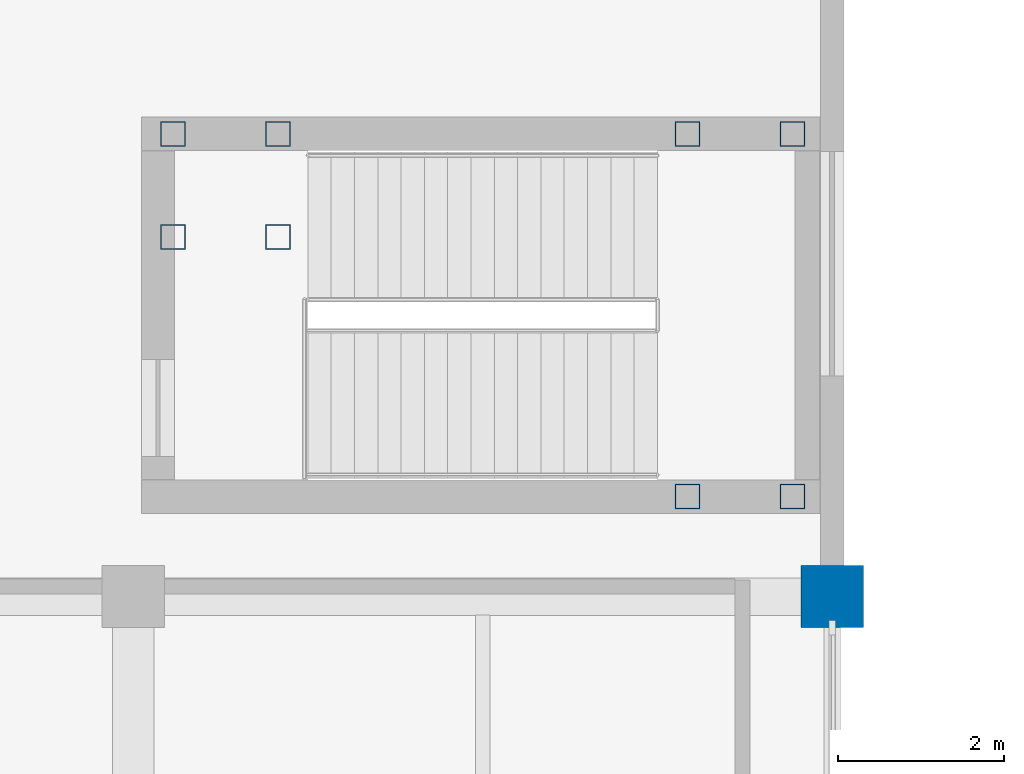
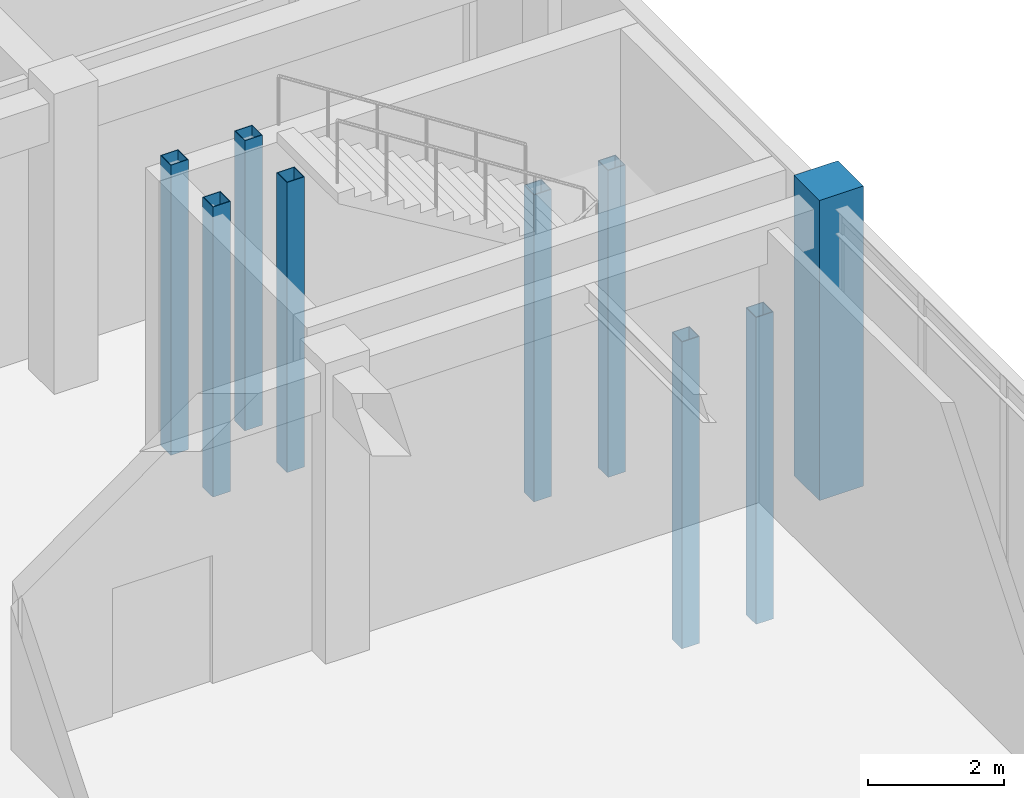
# One storey, part 8 of 79: 9 columns.
"""IFC4 building model written with IfcOpenShell, lengths in metres."""

import ifcopenshell
import ifcopenshell.guid

model = None  # the IFC model being written
_history = None  # IfcOwnerHistory: only IFC2X3 demands one
_inside = {}  # id of a spatial element -> (the spatial element, [elements in it])
_under = {}  # id of a project, library or spatial element -> (it, [spatial elements below it])
_declared = {}  # id of a project -> (the project, [libraries it declares])
_typed = {}  # id of a type object -> (the type object, [elements of that type])
_made_of = {}  # id of a material, layer set ... -> (it, [elements and type objects made of it])


def new_model(schema):
    """Start an empty IFC model of exactly this schema.

    Asked for "IFC4X3", IfcOpenShell would pick the latest addendum, in which some entities
    have other attributes; the version numbers below select the first issue.
    IFC2X3 requires an IfcOwnerHistory on every rooted entity: one is made here for all.
    """
    global model, _history
    if schema == "IFC4X3":
        model = ifcopenshell.file(schema_version=(4, 3, 0, 0))
    else:
        model = ifcopenshell.file(schema=schema)
    _inside.clear()
    _under.clear()
    _declared.clear()
    _typed.clear()
    _made_of.clear()
    _history = None
    if model.schema == "IFC2X3":
        org = make("IfcOrganization", Name="unknown")
        user = make(
            "IfcPersonAndOrganization",
            ThePerson=make("IfcPerson", FamilyName="unknown"),
            TheOrganization=org,
        )
        app = make(
            "IfcApplication",
            ApplicationDeveloper=org,
            Version="unknown",
            ApplicationFullName="unknown",
            ApplicationIdentifier="unknown",
        )
        _history = make(
            "IfcOwnerHistory",
            OwningUser=user,
            OwningApplication=app,
            ChangeAction="ADDED",
            CreationDate=0,
        )
    return model


def make(cls, **values):
    """One entity of the class cls with the attributes given. An attribute that is None is left unset."""
    return model.create_entity(
        cls, **{name: value for name, value in values.items() if value is not None}
    )


def rooted(cls, **values):
    """An entity with a GlobalId (a new one), such as an element, a storey or a relation."""
    return make(cls, GlobalId=ifcopenshell.guid.new(), OwnerHistory=_history, **values)


def si_unit(unit_type, name, prefix=None):
    """IfcSIUnit, for example si_unit("LENGTHUNIT", "METRE", prefix="MILLI")."""
    return make("IfcSIUnit", UnitType=unit_type, Prefix=prefix, Name=name)


def assignment(units):
    """IfcUnitAssignment: the units of a project."""
    return None if units is None else make("IfcUnitAssignment", Units=units)


def point(xyz):
    """IfcCartesianPoint."""
    return None if xyz is None else make("IfcCartesianPoint", Coordinates=xyz)


def direction(xyz):
    """IfcDirection."""
    return None if xyz is None else make("IfcDirection", DirectionRatios=xyz)


def frame(location, z_axis=None, x_axis=None):
    """IfcAxis2Placement3D, a coordinate frame: its origin and axes. An axis left out is left unset."""
    return make(
        "IfcAxis2Placement3D",
        Location=point(location),
        Axis=direction(z_axis),
        RefDirection=direction(x_axis),
    )


def frame_2d(location, x_axis=None):
    """IfcAxis2Placement2D, a coordinate frame in the plane: its origin and x axis."""
    return make(
        "IfcAxis2Placement2D", Location=point(location), RefDirection=direction(x_axis)
    )


def origin():
    """The frame at (0, 0, 0) with its axes left unset."""
    return frame((0.0, 0.0, 0.0))


def origin_2d():
    """The frame at (0, 0) in the plane with its x axis left unset."""
    return frame_2d((0.0, 0.0))


def place(relative_to, where):
    """IfcLocalPlacement: puts the frame where relative to a parent placement (None: the world)."""
    return make(
        "IfcLocalPlacement", PlacementRelTo=relative_to, RelativePlacement=where
    )


def context(
    kind, dimensions, precision=None, world=None, true_north=None, identifier=None
):
    """IfcGeometricRepresentationContext, for example the 3D "Model" context."""
    return make(
        "IfcGeometricRepresentationContext",
        ContextIdentifier=identifier,
        ContextType=kind,
        CoordinateSpaceDimension=dimensions,
        Precision=precision,
        WorldCoordinateSystem=world,
        TrueNorth=true_north,
    )


def subcontext(parent, identifier, kind, view, scale=None):
    """IfcGeometricRepresentationSubContext, for example "Body" below "Model"."""
    return make(
        "IfcGeometricRepresentationSubContext",
        ContextIdentifier=identifier,
        ContextType=kind,
        ParentContext=parent,
        TargetScale=scale,
        TargetView=view,
    )


def project(units=None, contexts=None):
    """IfcProject with its units and contexts."""
    return rooted(
        "IfcProject",
        Name="project",
        RepresentationContexts=contexts,
        UnitsInContext=assignment(units),
    )


def spatial(cls, under=None, at=None, **own):
    """A site, building, storey or space (cls), placed at a placement, below another one or the project."""
    s = rooted(cls, ObjectPlacement=at, **own)
    if under is not None:
        _under.setdefault(under.id(), (under, []))[1].append(s)
    return s


def profile(cls, at=None, kind="AREA", **sizes):
    """A parametric profile (cls). Its sizes go by their IFC names, for example OverallWidth=200.0."""
    return make(cls, ProfileType=kind, Position=at, **sizes)


def rectangle(**sizes):
    """IfcRectangleProfileDef."""
    return profile("IfcRectangleProfileDef", **sizes)


def hollow_rectangle(**sizes):
    """IfcRectangleHollowProfileDef."""
    return profile("IfcRectangleHollowProfileDef", **sizes)


def extrude(swept, where, along, depth):
    """IfcExtrudedAreaSolid: the profile swept, set in the frame where, extruded along a direction by depth."""
    return make(
        "IfcExtrudedAreaSolid",
        SweptArea=swept,
        Position=where,
        ExtrudedDirection=direction(along),
        Depth=depth,
    )


def shape(context_of_items, identifier, shape_type, items):
    """IfcShapeRepresentation: the items that make up one representation, for example the "Body"."""
    return make(
        "IfcShapeRepresentation",
        ContextOfItems=context_of_items,
        RepresentationIdentifier=identifier,
        RepresentationType=shape_type,
        Items=items,
    )


def material(Name=None, Category=None):
    """IfcMaterial."""
    return make("IfcMaterial", Name=Name, Category=Category)


def material_profile(
    of_material, cross_section, Name=None, Category=None, Priority=None
):
    """IfcMaterialProfile: a cross section and its material."""
    return make(
        "IfcMaterialProfile",
        Name=Name,
        Material=of_material,
        Profile=cross_section,
        Priority=Priority,
        Category=Category,
    )


def profile_set(profiles, Name=None, composite=None):
    """IfcMaterialProfileSet."""
    return make(
        "IfcMaterialProfileSet",
        Name=Name,
        MaterialProfiles=profiles,
        CompositeProfile=composite,
    )


def made_of(thing, what):
    """Note that an element or type object is made of a material, layer set ...; save() writes the relation."""
    if what is not None:
        _made_of.setdefault(what.id(), (what, []))[1].append(thing)
    return thing


def type_object(cls, material=None, **own):
    """A type object (cls), such as IfcWallType, which elements share."""
    return made_of(rooted(cls, **own), material)


def element(
    cls,
    number,
    at=None,
    inside=None,
    cuts=None,
    type_object=None,
    material=None,
    context=None,
    identifier="Body",
    shape_type=None,
    held_by="IfcProductDefinitionShape",
    body=None,
    shapes=None,
    **own,
):
    """One element of the class cls, such as IfcWall. Its Tag is "e" and its number.

    at: its placement. inside: the storey or other place that contains it. cuts: it is an
    opening in that element (IfcRelVoidsElement). A single representation is given by context,
    identifier, shape_type and body (its items); several are given by shapes. held_by: the class
    of the entity that holds the representations. save() writes the other relations.
    """
    e = rooted(cls, Tag="e%d" % number, ObjectPlacement=at, **own)
    if body is not None:
        shapes = [shape(context, identifier, shape_type, body)]
    if shapes is not None:
        e.Representation = make(held_by, Representations=shapes)
    if inside is not None:
        _inside.setdefault(inside.id(), (inside, []))[1].append(e)
    if cuts is not None:
        rooted(
            "IfcRelVoidsElement", RelatingBuildingElement=cuts, RelatedOpeningElement=e
        )
    if type_object is not None:
        _typed.setdefault(type_object.id(), (type_object, []))[1].append(e)
    return made_of(e, material)


def aggregate(whole, parts):
    """IfcRelAggregates: a whole, such as a stair, and the parts it consists of."""
    return rooted("IfcRelAggregates", RelatingObject=whole, RelatedObjects=parts)


def save(model, path):
    """Write the relations noted so far, then the file.

    IfcRelAggregates (storeys below a building ...), IfcRelContainedInSpatialStructure (elements
    in a storey), IfcRelDefinesByType, IfcRelAssociatesMaterial and IfcRelDeclares: one each for
    every whole, place, type object, material and project.
    """
    for whole, parts in _under.values():
        aggregate(whole, parts)
    for where, things in _inside.values():
        rooted(
            "IfcRelContainedInSpatialStructure",
            RelatedElements=things,
            RelatingStructure=where,
        )
    for kind, things in _typed.values():
        rooted("IfcRelDefinesByType", RelatedObjects=things, RelatingType=kind)
    for what, things in _made_of.values():
        rooted("IfcRelAssociatesMaterial", RelatedObjects=things, RelatingMaterial=what)
    for by, libraries in _declared.values():
        rooted("IfcRelDeclares", RelatingContext=by, RelatedDefinitions=libraries)
    model.write(path)


model = new_model("IFC4")

# Units and contexts
model_context = context("Model", 3, precision=1e-05, world=origin(), true_north=direction((0.0, 1.0)))
body_context = subcontext(model_context, "Body", "Model", "MODEL_VIEW")
ifc_project = project(units=[si_unit("LENGTHUNIT", "METRE"), si_unit("AREAUNIT", "SQUARE_METRE"), si_unit("VOLUMEUNIT", "CUBIC_METRE"), si_unit("PLANEANGLEUNIT", "RADIAN"), si_unit("MASSUNIT", "GRAM", prefix="KILO")], contexts=[model_context])

# Site, building, storey
site_placement = place(None, origin())
site = spatial("IfcSite", under=ifc_project, at=site_placement, CompositionType="ELEMENT")
building_placement = place(site_placement, origin())
building = spatial("IfcBuilding", under=site, at=building_placement, Name="Naruveol Harbour Congress Hotel", CompositionType="ELEMENT")
storey_placement = place(building_placement, frame((0.0, 0.0, 6.0)))
storey = spatial("IfcBuildingStorey", under=building, at=storey_placement, Name="L01", CompositionType="ELEMENT", Elevation=6.0)

# Columns
ifc_material_1 = material(Name="Concrete C50/60", Category="concrete")
ifc_material_profile_1 = material_profile(ifc_material_1, rectangle(XDim=0.75, YDim=0.75, at=origin_2d()), Name="RC-750x750")
ifc_profile_set_1 = profile_set([ifc_material_profile_1], Name="Concrete C50/60")
column_type_1 = type_object("IfcColumnType", Name="RC WING COLUMN 750X750", PredefinedType="COLUMN", material=ifc_profile_set_1)
column_placement = place(storey_placement, frame((126.0, 56.0, 0.0), z_axis=(0.0, 0.0, 1.0), x_axis=(1.0, 0.0, 0.0)))
element("IfcColumn", 1, at=column_placement, inside=storey, type_object=column_type_1, Name="Column C-750 L01 (126.0,56.0)", PredefinedType="COLUMN", context=body_context, shape_type="SweptSolid", body=[
    extrude(rectangle(XDim=0.75, YDim=0.75, at=origin_2d()), origin(), (0.0, 0.0, 1.0), 5.39990234375),
])
ifc_material_2 = material(Name="Steel SN490", Category="steel")
ifc_material_profile_2 = material_profile(ifc_material_2, hollow_rectangle(XDim=0.300048828125, YDim=0.300048828125, WallThickness=0.011962890625, at=origin_2d()), Name="SHS-300x300x12")
ifc_profile_set_2 = profile_set([ifc_material_profile_2], Name="Steel SN490")
column_type_2 = type_object("IfcColumnType", Name="STEEL COLONNADE POST SHS300", PredefinedType="COLUMN", material=ifc_profile_set_2)
for number, where, z_axis, x_axis, name in (
    (2, (118.080078125, 60.320068359375, 0.0), (0.0, 0.0, 1.0), (1.0, 0.0, 0.0), "Stair landing support post ST9W #427"),
    (3, (118.080078125, 61.56005859375, 0.0), (0.0, 0.0, 1.0), (1.0, 0.0, 0.0), "Stair landing support post ST9W #431"),
    (4, (119.340087890625, 60.320068359375, 0.0), (0.0, 0.0, 1.0), (1.0, 0.0, 0.0), "Stair landing support post ST9W #435"),
    (5, (119.340087890625, 61.56005859375, 0.0), (0.0, 0.0, 1.0), (1.0, 0.0, 0.0), "Stair landing support post ST9W #439"),
):
    element("IfcColumn", number, at=place(storey_placement, frame(where, z_axis=z_axis, x_axis=x_axis)), inside=storey, type_object=column_type_2, Name=name, PredefinedType="COLUMN", context=body_context, shape_type="SweptSolid", body=[
        extrude(hollow_rectangle(XDim=0.300048828125, YDim=0.300048828125, WallThickness=0.011962890625, at=origin_2d()), origin(), (0.0, 0.0, 1.0), 5.219970703125),
    ])
for number, where, z_axis, x_axis, name in (
    (6, (124.260009765625, 57.199951171875, -3.0), (0.0, 0.0, 1.0), (1.0, 0.0, 0.0), "Stair landing support post ST9E #443"),
    (7, (124.260009765625, 61.56005859375, -3.0), (0.0, 0.0, 1.0), (1.0, 0.0, 0.0), "Stair landing support post ST9E #447"),
    (8, (125.52001953125, 57.199951171875, -3.0), (0.0, 0.0, 1.0), (1.0, 0.0, 0.0), "Stair landing support post ST9E #451"),
    (9, (125.52001953125, 61.56005859375, -3.0), (0.0, 0.0, 1.0), (1.0, 0.0, 0.0), "Stair landing support post ST9E #455"),
):
    element("IfcColumn", number, at=place(storey_placement, frame(where, z_axis=z_axis, x_axis=x_axis)), inside=storey, type_object=column_type_2, Name=name, PredefinedType="COLUMN", context=body_context, shape_type="SweptSolid", body=[
        extrude(hollow_rectangle(XDim=0.300048828125, YDim=0.300048828125, WallThickness=0.011962890625, at=origin_2d()), origin(), (0.0, 0.0, 1.0), 5.52001953125),
    ])

save(model, "model.ifc")
